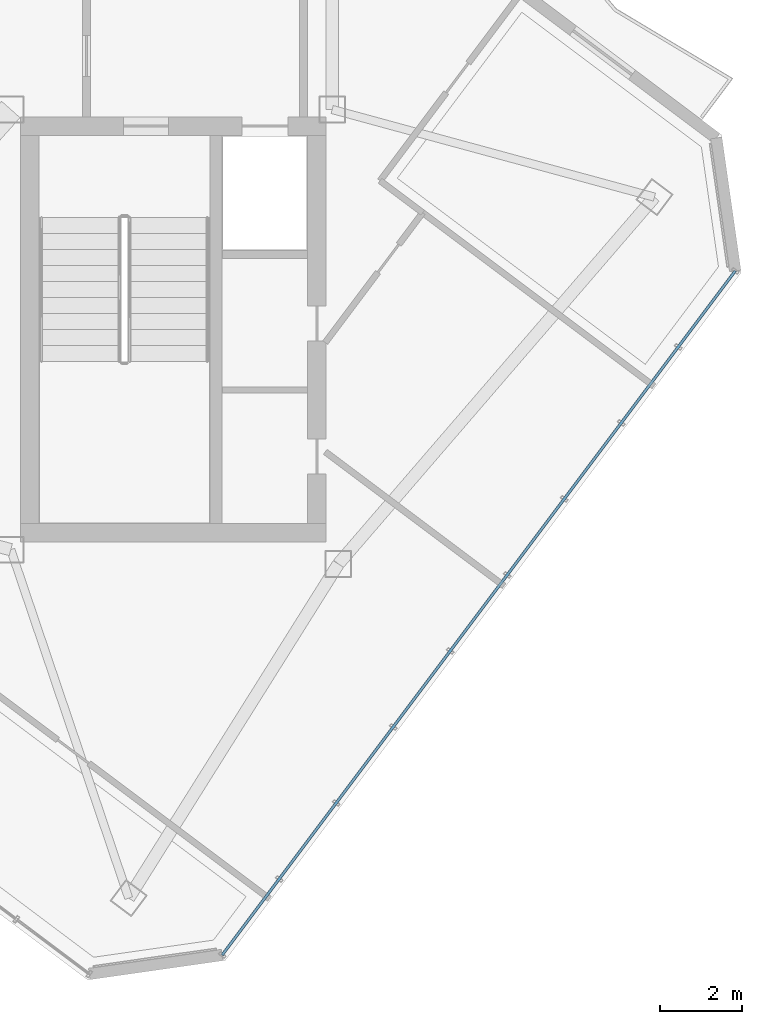
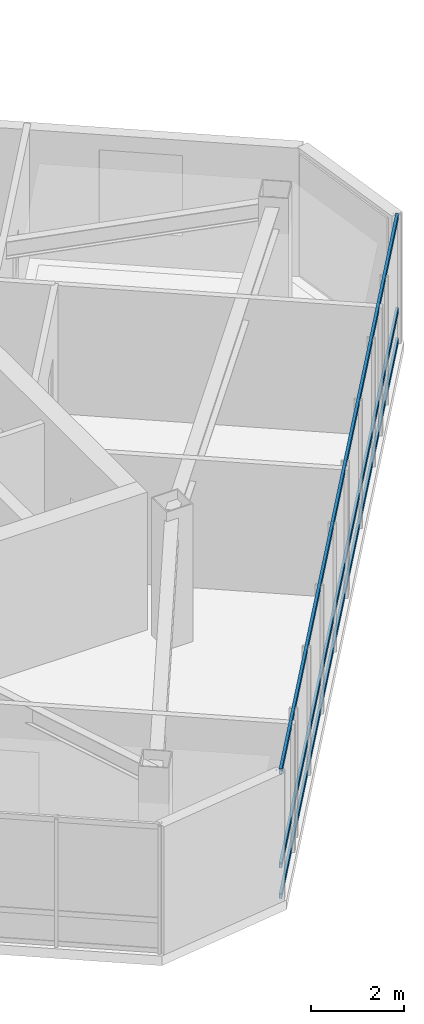
# One storey, part 10 of 21: 3 members, 1 element without a shape of its own.
"""IFC4 building model written with IfcOpenShell, lengths in metres."""

from ifc_helpers import new_model, si_unit, direction, frame, origin, origin_2d, place, context, subcontext, project, spatial, hollow_rectangle, extrude, material, layer, layer_set, material_profile, profile_set, type_object, element, aggregate, save


model = new_model("IFC4")

# Units and contexts
model_context = context("Model", 3, precision=1e-05, world=origin(), true_north=direction((0.0, 1.0)))
body_context = subcontext(model_context, "Body", "Model", "MODEL_VIEW")
ifc_project = project(units=[si_unit("LENGTHUNIT", "METRE"), si_unit("AREAUNIT", "SQUARE_METRE"), si_unit("VOLUMEUNIT", "CUBIC_METRE"), si_unit("PLANEANGLEUNIT", "RADIAN"), si_unit("MASSUNIT", "GRAM", prefix="KILO")], contexts=[model_context])

# Site, building, storey
site_placement = place(None, origin())
site = spatial("IfcSite", under=ifc_project, at=site_placement, CompositionType="ELEMENT")
building_placement = place(site_placement, origin())
building = spatial("IfcBuilding", under=site, at=building_placement, Name="Hatsunagi Terrace Concourse", CompositionType="ELEMENT")
storey_placement = place(building_placement, frame((0.0, 0.0, 246.75)))
storey = spatial("IfcBuildingStorey", under=building, at=storey_placement, Name="L65", CompositionType="ELEMENT", Elevation=246.75)

# Curtain wall, members
ifc_material_1 = material(Name="Anodised Aluminium Alloy 6063-T5", Category="aluminium")
ifc_layer = layer(ifc_material_1, 0.199951171875)
ifc_layer_set = layer_set([ifc_layer], Name="OfficeZone2_CW04")
curtain_wall_type = type_object("IfcCurtainWallType", Name="OfficeZone2_CW04", PredefinedType="NOTDEFINED", material=ifc_layer_set)
curtain_wall_placement = place(storey_placement, origin())
curtain_wall = element("IfcCurtainWall", 1, at=curtain_wall_placement, inside=storey, type_object=curtain_wall_type, Name="Unitised Curtain Wall CW-04 CW-L65-03", PredefinedType="NOTDEFINED")
ifc_material_2 = material(Name="Anodised Aluminium Alloy 6063-T5", Category="aluminium")
ifc_material_profile = material_profile(ifc_material_2, hollow_rectangle(XDim=0.06494140625, YDim=0.139892578125, WallThickness=0.00390625, at=origin_2d()), Name="ALU-TRN-140x65x4")
ifc_profile_set = profile_set([ifc_material_profile], Name="Anodised Aluminium Alloy 6063-T5")
member_type = type_object("IfcMemberType", Name="CurtainWallTransom_140x65", PredefinedType="USERDEFINED", material=ifc_profile_set)
member_1_placement = place(storey_placement, frame((53.492919921875, 31.35791015625, 0.050048828125), z_axis=(-0.599970072971, -0.800022444397, 0.0), x_axis=(0.800022444397, -0.599970072971, 0.0)))
member_1 = element("IfcMember", 2, at=member_1_placement, type_object=member_type, Name="Curtain Wall Transom TRN-02", ObjectType="TRANSOM", PredefinedType="USERDEFINED", context=body_context, shape_type="SweptSolid", body=[
    extrude(hollow_rectangle(XDim=0.06494140625, YDim=0.139892578125, WallThickness=0.00390625, at=origin_2d()), origin(), (0.0, 0.0, 1.0), 20.884521484375),
])
member_2_placement = place(storey_placement, frame((53.492919921875, 31.35791015625, 0.85009765625), z_axis=(-0.599970072971, -0.800022444397, 0.0), x_axis=(0.800022444397, -0.599970072971, 0.0)))
member_2 = element("IfcMember", 3, at=member_2_placement, type_object=member_type, Name="Curtain Wall Transom TRN-02", ObjectType="TRANSOM", PredefinedType="USERDEFINED", context=body_context, shape_type="SweptSolid", body=[
    extrude(hollow_rectangle(XDim=0.06494140625, YDim=0.139892578125, WallThickness=0.00390625, at=origin_2d()), origin(), (0.0, 0.0, 1.0), 20.884521484375),
])
member_3_placement = place(storey_placement, frame((53.492919921875, 31.35791015625, 3.300048828125), z_axis=(-0.599970072971, -0.800022444397, 0.0), x_axis=(0.800022444397, -0.599970072971, 0.0)))
member_3 = element("IfcMember", 4, at=member_3_placement, type_object=member_type, Name="Curtain Wall Transom TRN-02", ObjectType="TRANSOM", PredefinedType="USERDEFINED", context=body_context, shape_type="SweptSolid", body=[
    extrude(hollow_rectangle(XDim=0.06494140625, YDim=0.139892578125, WallThickness=0.00390625, at=origin_2d()), origin(), (0.0, 0.0, 1.0), 20.884521484375),
])
aggregate(curtain_wall, [member_1, member_2, member_3])

save(model, "model.ifc")
